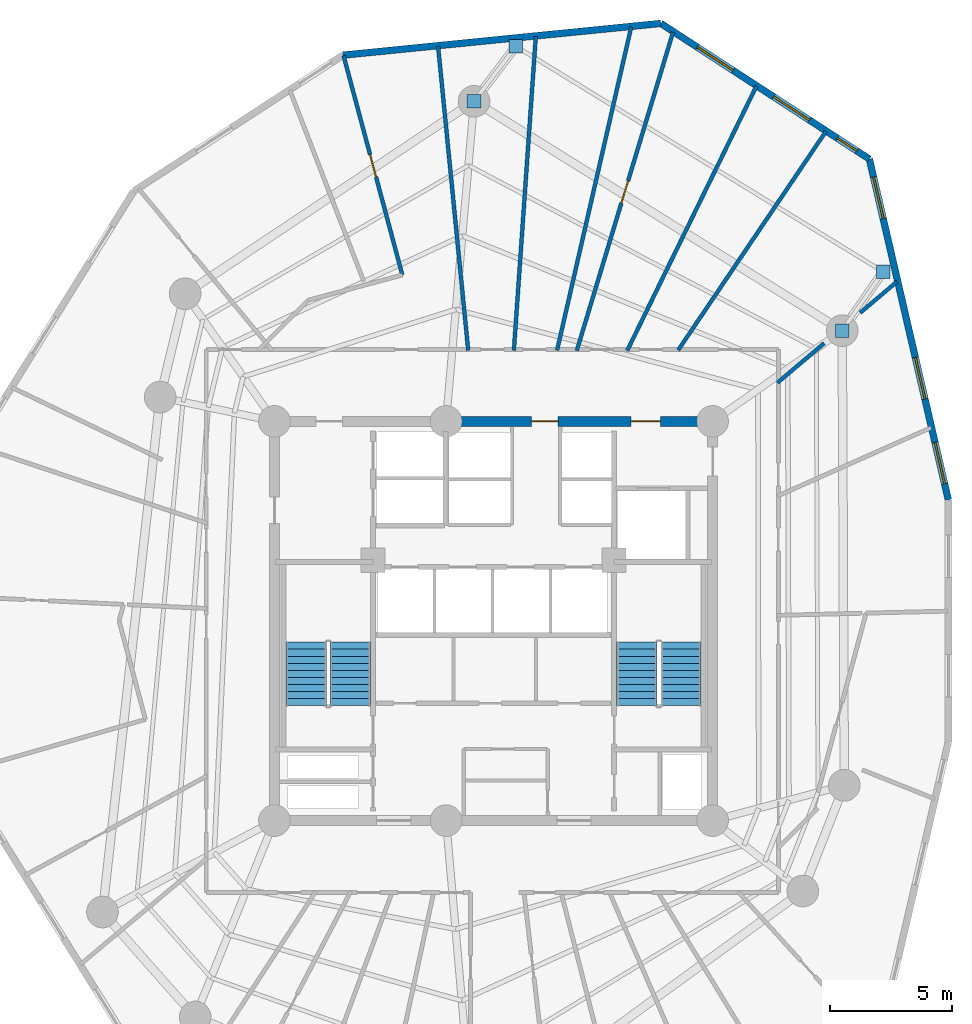
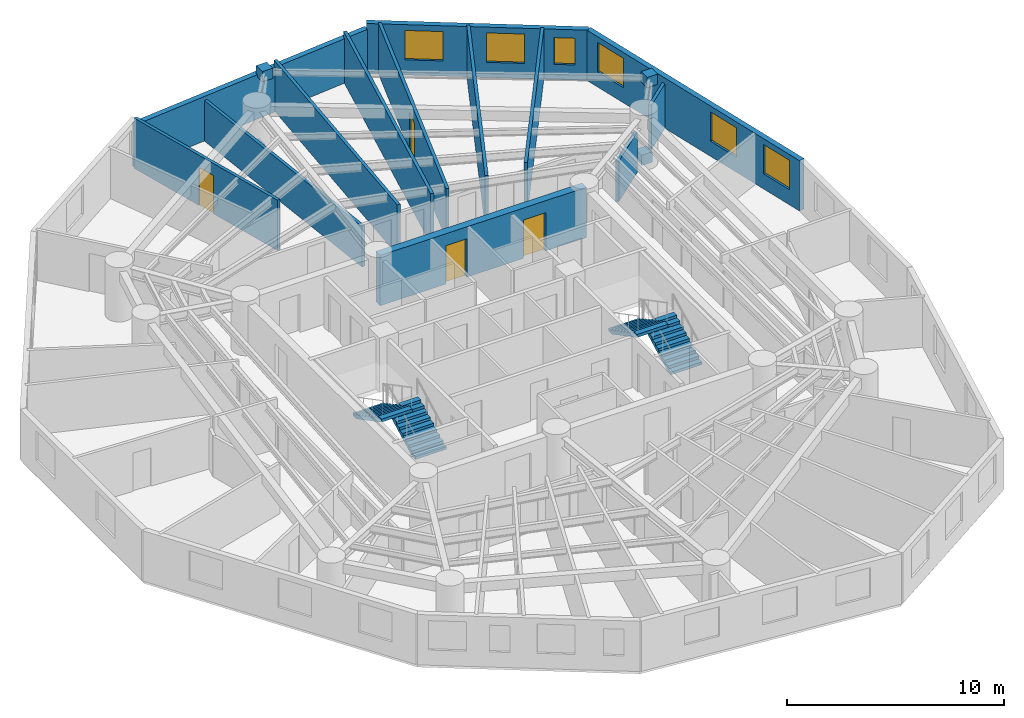
# One storey, part 7 of 8: 13 walls, 6 windows, 4 discrete accessories, 4 doors, 4 stair flights, 10 openings, 2 elements without a shape of their own.
"""IFC4 building model written with IfcOpenShell, lengths in metres."""

from ifc_helpers import new_model, si_unit, direction, frame, frame_2d, origin, origin_with_axes, origin_2d, place, context, subcontext, project, spatial, polyline, rectangle, outline, extrude, source, transform, mapped, material, layer, layer_set, type_object, element, fill, aggregate, save


model = new_model("IFC4")

# Units and contexts
model_context = context("Model", 3, precision=1e-05, world=origin(), true_north=direction((0.0, 1.0)))
body_context = subcontext(model_context, "Body", "Model", "MODEL_VIEW")
ifc_project = project(units=[si_unit("LENGTHUNIT", "METRE"), si_unit("AREAUNIT", "SQUARE_METRE"), si_unit("VOLUMEUNIT", "CUBIC_METRE"), si_unit("PLANEANGLEUNIT", "RADIAN"), si_unit("MASSUNIT", "GRAM", prefix="KILO")], contexts=[model_context])

# Site, building, storey
site_placement = place(None, origin())
site = spatial("IfcSite", under=ifc_project, at=site_placement, CompositionType="ELEMENT")
building_placement = place(site_placement, origin())
building = spatial("IfcBuilding", under=site, at=building_placement, Name="Karkom Vertical University and Central Library", CompositionType="ELEMENT")
storey_placement = place(building_placement, frame((0.0, 0.0, 187.050048828125)))
storey = spatial("IfcBuildingStorey", under=building, at=storey_placement, Name="L54", CompositionType="ELEMENT", Elevation=187.050048828125)

# Wall, openings, windows
ifc_material_1 = material(Name="Brick-faced precast concrete C45/55", Category="masonry")
ifc_layer_1 = layer(ifc_material_1, 0.280029296875)
ifc_layer_set_1 = layer_set([ifc_layer_1], Name="Brick-faced precast concrete C45/55")
wall_type_1 = type_object("IfcWallType", Name="ENV-WL-BRK-280", PredefinedType="SOLIDWALL", material=ifc_layer_set_1)
wall_1_placement = place(storey_placement, frame((47.185302734375, 31.474365234375, 0.0), z_axis=(0.0, 0.0, 1.0), x_axis=(-0.225598723883, 0.974220311727, 0.0)))
wall_1 = element("IfcWall", 1, at=wall_1_placement, inside=storey, type_object=wall_type_1, Name="Level 54 Brick-Faced Precast Facade Wall 08", PredefinedType="SOLIDWALL", context=body_context, shape_type="SweptSolid", body=[
    extrude(rectangle(XDim=14.374755859375, YDim=0.280029296875, at=frame_2d((7.1875, 0.0))), origin(), (0.0, 0.0, 1.0), 2.824951171875),
])
opening_1_placement = place(wall_1_placement, frame((0.677490234375, 0.0, 0.85009765625)))
opening_1 = element("IfcOpeningElement", 2, at=opening_1_placement, cuts=wall_1, Name="Opening WN-08", PredefinedType="OPENING", context=body_context, shape_type="SweptSolid", body=[
    extrude(rectangle(XDim=1.75, YDim=1.64990234375, at=frame_2d((0.875, 0.824951171875))), frame((0.0, 0.14990234375, 0.0), z_axis=(0.0, -1.0, 0.0), x_axis=(1.0, 0.0, 0.0)), (0.0, 0.0, 1.0), 0.300048828125),
])
opening_2_placement = place(wall_1_placement, frame((4.25634765625, 0.0, 0.85009765625)))
opening_2 = element("IfcOpeningElement", 3, at=opening_2_placement, cuts=wall_1, Name="Opening WN-08", PredefinedType="OPENING", context=body_context, shape_type="SweptSolid", body=[
    extrude(rectangle(XDim=1.75, YDim=1.64990234375, at=frame_2d((0.875, 0.824951171875))), frame((0.0, 0.14990234375, 0.0), z_axis=(0.0, -1.0, 0.0), x_axis=(1.0, 0.0, 0.0)), (0.0, 0.0, 1.0), 0.300048828125),
])
opening_3_placement = place(wall_1_placement, frame((11.864990234375, 0.0, 0.85009765625)))
opening_3 = element("IfcOpeningElement", 4, at=opening_3_placement, cuts=wall_1, Name="Opening WN-08", PredefinedType="OPENING", context=body_context, shape_type="SweptSolid", body=[
    extrude(rectangle(XDim=1.75, YDim=1.64990234375, at=frame_2d((0.875, 0.824951171875))), frame((0.0, 0.14990234375, 0.0), z_axis=(0.0, -1.0, 0.0), x_axis=(1.0, 0.0, 0.0)), (0.0, 0.0, 1.0), 0.300048828125),
])
ifc_material_2 = material(Name="Aluminium thermal-break frame with solar-control IGU", Category="aluminium")
window_type_1 = type_object("IfcWindowType", Name="ENV-WIN-WN-08", PartitioningType="SINGLE_PANEL", PredefinedType="WINDOW", material=ifc_material_2)
shared_shape_1 = source(origin_with_axes(), body_context, "Body", "SweptSolid", [
    extrude(rectangle(XDim=1.75, YDim=1.64990234375, at=frame_2d((0.875, 0.824951171875))), frame((0.0, 0.030029296875, 0.0), z_axis=(0.0, -1.0, 0.0), x_axis=(1.0, 0.0, 0.0)), (0.0, 0.0, 1.0), 0.06005859375),
])
window_1_placement = place(opening_1_placement, origin())
window_1 = element("IfcWindow", 5, at=window_1_placement, inside=storey, type_object=window_type_1, Name="Level 54 Punched Window 8.1", OverallHeight=1.64990234375, OverallWidth=1.75, PartitioningType="SINGLE_PANEL", PredefinedType="WINDOW", context=body_context, shape_type="MappedRepresentation", body=[
    mapped(shared_shape_1, transform((0.0, 0.0, 0.0), scale=1.0)),
])
fill(opening_1, window_1)
window_2_placement = place(opening_2_placement, origin())
window_2 = element("IfcWindow", 6, at=window_2_placement, inside=storey, type_object=window_type_1, Name="Level 54 Punched Window 8.2", OverallHeight=1.64990234375, OverallWidth=1.75, PartitioningType="SINGLE_PANEL", PredefinedType="WINDOW", context=body_context, shape_type="MappedRepresentation", body=[
    mapped(shared_shape_1, transform((0.0, 0.0, 0.0), scale=1.0)),
])
fill(opening_2, window_2)
window_3_placement = place(opening_3_placement, origin())
window_3 = element("IfcWindow", 7, at=window_3_placement, inside=storey, type_object=window_type_1, Name="Level 54 Punched Window 8.3", OverallHeight=1.64990234375, OverallWidth=1.75, PartitioningType="SINGLE_PANEL", PredefinedType="WINDOW", context=body_context, shape_type="MappedRepresentation", body=[
    mapped(shared_shape_1, transform((0.0, 0.0, 0.0), scale=1.0)),
])
fill(opening_3, window_3)

wall_2_placement = place(storey_placement, frame((43.9423828125, 45.478515625, 0.0), z_axis=(0.0, 0.0, 1.0), x_axis=(-0.838363930123, 0.545110925105, 0.0)))
wall_2 = element("IfcWall", 8, at=wall_2_placement, inside=storey, type_object=wall_type_1, Name="Level 54 Brick-Faced Precast Facade Wall 09", PredefinedType="SOLIDWALL", context=body_context, shape_type="SweptSolid", body=[
    extrude(rectangle(XDim=10.220947265625, YDim=0.280029296875, at=frame_2d((5.1103515625, 0.0))), origin(), (0.0, 0.0, 1.0), 2.824951171875),
])
opening_4_placement = place(wall_2_placement, frame((0.6142578125, 0.0, 0.85009765625)))
opening_4 = element("IfcOpeningElement", 9, at=opening_4_placement, cuts=wall_2, Name="Opening WN-12", PredefinedType="OPENING", context=body_context, shape_type="SweptSolid", body=[
    extrude(rectangle(XDim=0.949951171875, YDim=1.5, at=frame_2d((0.47509765625, 0.75))), frame((0.0, 0.14990234375, 0.0), z_axis=(0.0, -1.0, 0.0), x_axis=(1.0, 0.0, 0.0)), (0.0, 0.0, 1.0), 0.300048828125),
])
opening_5_placement = place(wall_2_placement, frame((2.944091796875, 0.0, 0.85009765625)))
opening_5 = element("IfcOpeningElement", 10, at=opening_5_placement, cuts=wall_2, Name="Opening WN-08", PredefinedType="OPENING", context=body_context, shape_type="SweptSolid", body=[
    extrude(rectangle(XDim=1.75, YDim=1.64990234375, at=frame_2d((0.875, 0.824951171875))), frame((0.0, 0.14990234375, 0.0), z_axis=(0.0, -1.0, 0.0), x_axis=(1.0, 0.0, 0.0)), (0.0, 0.0, 1.0), 0.300048828125),
])
opening_6_placement = place(wall_2_placement, frame((6.682373046875, 0.0, 0.85009765625)))
opening_6 = element("IfcOpeningElement", 11, at=opening_6_placement, cuts=wall_2, Name="Opening WN-08", PredefinedType="OPENING", context=body_context, shape_type="SweptSolid", body=[
    extrude(rectangle(XDim=1.75, YDim=1.64990234375, at=frame_2d((0.875, 0.824951171875))), frame((0.0, 0.14990234375, 0.0), z_axis=(0.0, -1.0, 0.0), x_axis=(1.0, 0.0, 0.0)), (0.0, 0.0, 1.0), 0.300048828125),
])
window_type_2 = type_object("IfcWindowType", Name="ENV-WIN-WN-12", PartitioningType="SINGLE_PANEL", PredefinedType="WINDOW", material=ifc_material_2)
shared_shape_2 = source(origin_with_axes(), body_context, "Body", "SweptSolid", [
    extrude(rectangle(XDim=0.949951171875, YDim=1.5, at=frame_2d((0.47509765625, 0.75))), frame((0.0, 0.030029296875, 0.0), z_axis=(0.0, -1.0, 0.0), x_axis=(1.0, 0.0, 0.0)), (0.0, 0.0, 1.0), 0.06005859375),
])
window_4_placement = place(opening_4_placement, origin())
window_4 = element("IfcWindow", 12, at=window_4_placement, inside=storey, type_object=window_type_2, Name="Level 54 Punched Window 9.1", OverallHeight=1.5, OverallWidth=0.949951171875, PartitioningType="SINGLE_PANEL", PredefinedType="WINDOW", context=body_context, shape_type="MappedRepresentation", body=[
    mapped(shared_shape_2, transform((0.0, 0.0, 0.0), scale=1.0)),
])
fill(opening_4, window_4)
window_5_placement = place(opening_5_placement, origin())
window_5 = element("IfcWindow", 13, at=window_5_placement, inside=storey, type_object=window_type_1, Name="Level 54 Punched Window 9.2", OverallHeight=1.64990234375, OverallWidth=1.75, PartitioningType="SINGLE_PANEL", PredefinedType="WINDOW", context=body_context, shape_type="MappedRepresentation", body=[
    mapped(shared_shape_1, transform((0.0, 0.0, 0.0), scale=1.0)),
])
fill(opening_5, window_5)
window_6_placement = place(opening_6_placement, origin())
window_6 = element("IfcWindow", 14, at=window_6_placement, inside=storey, type_object=window_type_1, Name="Level 54 Punched Window 9.3", OverallHeight=1.64990234375, OverallWidth=1.75, PartitioningType="SINGLE_PANEL", PredefinedType="WINDOW", context=body_context, shape_type="MappedRepresentation", body=[
    mapped(shared_shape_1, transform((0.0, 0.0, 0.0), scale=1.0)),
])
fill(opening_6, window_6)

# Wall
wall_3_placement = place(storey_placement, frame((35.37353515625, 51.050048828125, 0.0), z_axis=(0.0, 0.0, 1.0), x_axis=(-0.995061275338, -0.099262572617, 0.0)))
element("IfcWall", 15, at=wall_3_placement, inside=storey, type_object=wall_type_1, Name="Level 54 Brick-Faced Precast Facade Wall 10", PredefinedType="SOLIDWALL", context=body_context, shape_type="SweptSolid", body=[
    extrude(rectangle(XDim=13.131591796875, YDim=0.280029296875, at=frame_2d((6.56591796875, 0.0))), origin(), (0.0, 0.0, 1.0), 2.494873046875),
])

# Wall, opening, door
ifc_material_3 = material(Name="Insulated metal-stud drywall 160mm", Category="gypsum")
ifc_layer_2 = layer(ifc_material_3, 0.159912109375)
ifc_layer_set_2 = layer_set([ifc_layer_2], Name="Insulated metal-stud drywall 160mm")
wall_type_2 = type_object("IfcWallType", Name="INT-WL-COR-160", PredefinedType="PARTITIONING", material=ifc_layer_set_2)
wall_4_placement = place(storey_placement, frame((31.920166015625, 37.60693359375, 0.0), z_axis=(0.0, 0.0, 1.0), x_axis=(0.289331651379, 0.957228914894, 0.0)))
wall_4 = element("IfcWall", 16, at=wall_4_placement, inside=storey, type_object=wall_type_2, Name="Level 54 Interior Partition Wall L54-PW-033", PredefinedType="PARTITIONING", context=body_context, shape_type="SweptSolid", body=[
    extrude(rectangle(XDim=13.6689453125, YDim=0.159912109375, at=frame_2d((6.83447265625, 0.0))), origin(), (0.0, 0.0, 1.0), 2.824951171875),
])
opening_7_placement = place(wall_4_placement, frame((6.33447265625, 0.0, 0.0)))
opening_7 = element("IfcOpeningElement", 17, at=opening_7_placement, cuts=wall_4, Name="Opening D-RM1", PredefinedType="OPENING", context=body_context, shape_type="SweptSolid", body=[
    extrude(rectangle(XDim=0.949951171875, YDim=2.14990234375, at=frame_2d((0.47509765625, 1.074951171875))), frame((0.0, 0.08984375, 0.0), z_axis=(0.0, -1.0, 0.0), x_axis=(1.0, 0.0, 0.0)), (0.0, 0.0, 1.0), 0.179931640625),
])
ifc_material_4 = material(Name="Solid-core oak veneer door", Category="wood")
door_type_1 = type_object("IfcDoorType", Name="INT-DR-RM1", OperationType="NOTDEFINED", PredefinedType="DOOR", material=ifc_material_4)
shared_shape_3 = source(origin_with_axes(), body_context, "Body", "SweptSolid", [
    extrude(rectangle(XDim=0.949951171875, YDim=2.14990234375, at=frame_2d((0.47509765625, 1.074951171875))), frame((0.0, 0.02490234375, 0.0), z_axis=(0.0, -1.0, 0.0), x_axis=(1.0, 0.0, 0.0)), (0.0, 0.0, 1.0), 0.050048828125),
])
door_1_placement = place(opening_7_placement, origin())
door_1 = element("IfcDoor", 18, at=door_1_placement, inside=storey, type_object=door_type_1, Name="Level 54 Room Entry Door 220", OperationType="SINGLE_SWING_LEFT", OverallHeight=2.14990234375, OverallWidth=0.949951171875, PredefinedType="DOOR", context=body_context, shape_type="MappedRepresentation", body=[
    mapped(shared_shape_3, transform((0.0, 0.0, 0.0), scale=1.0)),
])
fill(opening_7, door_1)

# Walls
wall_5_placement = place(storey_placement, frame((31.111083984375, 37.620849609375, 0.0), z_axis=(0.0, 0.0, 1.0), x_axis=(0.223468026285, 0.97471126044, 0.0)))
element("IfcWall", 19, at=wall_5_placement, inside=storey, type_object=wall_type_2, Name="Level 54 Interior Partition Wall L54-PW-034", PredefinedType="PARTITIONING", context=body_context, shape_type="SweptSolid", body=[
    extrude(rectangle(XDim=13.62353515625, YDim=0.159912109375, at=frame_2d((6.811767578125, 0.0))), origin(), (0.0, 0.0, 1.0), 2.824951171875),
])
wall_6_placement = place(storey_placement, frame((29.33642578125, 37.6201171875, 0.0), z_axis=(0.0, 0.0, 1.0), x_axis=(0.069618375377, 0.997573697433, 0.0)))
element("IfcWall", 20, at=wall_6_placement, inside=storey, type_object=wall_type_2, Name="Level 54 Interior Partition Wall L54-PW-035", PredefinedType="PARTITIONING", context=body_context, shape_type="SweptSolid", body=[
    extrude(rectangle(XDim=12.922607421875, YDim=0.159912109375, at=frame_2d((6.46142578125, 0.0))), origin(), (0.0, 0.0, 1.0), 2.824951171875),
])
wall_7_placement = place(storey_placement, frame((27.459228515625, 37.6201171875, 0.0), z_axis=(0.0, 0.0, 1.0), x_axis=(-0.098527382243, 0.995134340151, 0.0)))
element("IfcWall", 21, at=wall_7_placement, inside=storey, type_object=wall_type_2, Name="Level 54 Interior Partition Wall L54-PW-036", PredefinedType="PARTITIONING", context=body_context, shape_type="SweptSolid", body=[
    extrude(rectangle(XDim=12.552978515625, YDim=0.159912109375, at=frame_2d((6.2763671875, 0.0))), origin(), (0.0, 0.0, 1.0), 2.27490234375),
])
wall_8_placement = place(storey_placement, frame((33.993408203125, 37.609619140625, 0.0), z_axis=(0.0, 0.0, 1.0), x_axis=(0.438887267055, 0.898542134135, 0.0)))
element("IfcWall", 22, at=wall_8_placement, inside=storey, type_object=wall_type_2, Name="Level 54 Interior Partition Wall L54-PW-032", PredefinedType="PARTITIONING", context=body_context, shape_type="SweptSolid", body=[
    extrude(rectangle(XDim=12.0849609375, YDim=0.159912109375, at=frame_2d((6.04248046875, 0.0))), origin(), (0.0, 0.0, 1.0), 2.824951171875),
])
wall_9_placement = place(storey_placement, frame((36.084716796875, 37.625, 0.0), z_axis=(0.0, 0.0, 1.0), x_axis=(0.559620939067, 0.828748698073, 0.0)))
element("IfcWall", 23, at=wall_9_placement, inside=storey, type_object=wall_type_2, Name="Level 54 Interior Partition Wall L54-PW-031", PredefinedType="PARTITIONING", context=body_context, shape_type="SweptSolid", body=[
    extrude(rectangle(XDim=10.84423828125, YDim=0.159912109375, at=frame_2d((5.422119140625, 0.0))), origin(), (0.0, 0.0, 1.0), 2.824951171875),
])

# Wall, opening, door
wall_10_placement = place(storey_placement, frame((24.753662109375, 40.71337890625, 0.0), z_axis=(0.0, 0.0, 1.0), x_axis=(-0.258838559271, 0.965920597272, 0.0)))
wall_10 = element("IfcWall", 24, at=wall_10_placement, inside=storey, type_object=wall_type_2, Name="Level 54 Interior Partition Wall L54-PW-037", PredefinedType="PARTITIONING", context=body_context, shape_type="SweptSolid", body=[
    extrude(rectangle(XDim=9.328369140625, YDim=0.159912109375, at=frame_2d((4.6640625, 0.0))), origin(), (0.0, 0.0, 1.0), 2.824951171875),
])
opening_8_placement = place(wall_10_placement, frame((4.171630859375, 0.0, 0.0)))
opening_8 = element("IfcOpeningElement", 25, at=opening_8_placement, cuts=wall_10, Name="Opening D-RM1", PredefinedType="OPENING", context=body_context, shape_type="SweptSolid", body=[
    extrude(rectangle(XDim=0.949951171875, YDim=2.14990234375, at=frame_2d((0.47509765625, 1.074951171875))), frame((0.0, 0.08984375, 0.0), z_axis=(0.0, -1.0, 0.0), x_axis=(1.0, 0.0, 0.0)), (0.0, 0.0, 1.0), 0.179931640625),
])
door_2_placement = place(opening_8_placement, origin())
door_2 = element("IfcDoor", 26, at=door_2_placement, inside=storey, type_object=door_type_1, Name="Level 54 Room Entry Door 260", OperationType="SINGLE_SWING_RIGHT", OverallHeight=2.14990234375, OverallWidth=0.949951171875, PredefinedType="DOOR", context=body_context, shape_type="MappedRepresentation", body=[
    mapped(shared_shape_3, transform((0.0, 0.0, 0.0), scale=1.0)),
])
fill(opening_8, door_2)

# Walls
wall_11_placement = place(storey_placement, frame((40.16552734375, 36.2890625, 0.0), z_axis=(0.0, 0.0, 1.0), x_axis=(0.763533690392, 0.645767995209, 0.0)))
element("IfcWall", 27, at=wall_11_placement, inside=storey, type_object=wall_type_2, Name="Level 54 Interior Partition Wall L54-PW-029", PredefinedType="PARTITIONING", context=body_context, shape_type="SweptSolid", body=[
    extrude(rectangle(XDim=2.5126953125, YDim=0.159912109375, at=frame_2d((1.25634765625, 0.0))), origin(), (0.0, 0.0, 1.0), 2.27490234375),
])
wall_12_placement = place(storey_placement, frame((43.56396484375, 39.16357421875, 0.0), z_axis=(0.0, 0.0, 1.0), x_axis=(0.76353126088, 0.645770867769, 0.0)))
element("IfcWall", 28, at=wall_12_placement, inside=storey, type_object=wall_type_2, Name="Level 54 Interior Partition Wall L54-PW-030", PredefinedType="PARTITIONING", context=body_context, shape_type="SweptSolid", body=[
    extrude(rectangle(XDim=1.97998046875, YDim=0.159912109375, at=frame_2d((0.989990234375, 0.0))), origin(), (0.0, 0.0, 1.0), 2.494873046875),
])

# Wall, openings, doors
ifc_material_5 = material(Name="Concrete C50/60", Category="concrete")
ifc_layer_3 = layer(ifc_material_5, 0.39990234375)
ifc_layer_set_3 = layer_set([ifc_layer_3], Name="Concrete C50/60")
wall_type_3 = type_object("IfcWallType", Name="STR-WL-CW-400", PredefinedType="SHEAR", material=ifc_layer_set_3)
wall_13_placement = place(storey_placement, frame((37.5, 34.699951171875, 0.0), z_axis=(0.0, 0.0, 1.0), x_axis=(-1.0, 0.0, 0.0)))
wall_13 = element("IfcWall", 29, at=wall_13_placement, inside=storey, type_object=wall_type_3, Name="Level 54 Central Core Shear Wall NW1", PredefinedType="SHEAR", context=body_context, shape_type="SweptSolid", body=[
    extrude(rectangle(XDim=10.949951171875, YDim=0.39990234375, at=frame_2d((5.47509765625, 0.0))), origin(), (0.0, 0.0, 1.0), 2.824951171875),
])
opening_9_placement = place(wall_13_placement, frame((2.14990234375, 0.0, 0.0)))
opening_9 = element("IfcOpeningElement", 30, at=opening_9_placement, cuts=wall_13, Name="Opening FD-SUB1", PredefinedType="OPENING", context=body_context, shape_type="SweptSolid", body=[
    extrude(rectangle(XDim=1.199951171875, YDim=2.14990234375, at=frame_2d((0.60009765625, 1.074951171875))), frame((0.0, 0.2099609375, 0.0), z_axis=(0.0, -1.0, 0.0), x_axis=(1.0, 0.0, 0.0)), (0.0, 0.0, 1.0), 0.419921875),
])
opening_10_placement = place(wall_13_placement, frame((6.35009765625, 0.0, 0.0)))
opening_10 = element("IfcOpeningElement", 31, at=opening_10_placement, cuts=wall_13, Name="Opening FD-FFL", PredefinedType="OPENING", context=body_context, shape_type="SweptSolid", body=[
    extrude(rectangle(XDim=1.10009765625, YDim=2.14990234375, at=frame_2d((0.550048828125, 1.074951171875))), frame((0.0, 0.2099609375, 0.0), z_axis=(0.0, -1.0, 0.0), x_axis=(1.0, 0.0, 0.0)), (0.0, 0.0, 1.0), 0.419921875),
])
ifc_material_6 = material(Name="Painted steel smoke-seal fire door", Category="steel")
door_type_2 = type_object("IfcDoorType", Name="INT-DR-FFL", OperationType="NOTDEFINED", PredefinedType="DOOR", material=ifc_material_6)
shared_shape_4 = source(origin_with_axes(), body_context, "Body", "SweptSolid", [
    extrude(rectangle(XDim=1.10009765625, YDim=2.14990234375, at=frame_2d((0.550048828125, 1.074951171875))), frame((0.0, 0.02490234375, 0.0), z_axis=(0.0, -1.0, 0.0), x_axis=(1.0, 0.0, 0.0)), (0.0, 0.0, 1.0), 0.050048828125),
])
door_3_placement = place(opening_10_placement, origin())
door_3 = element("IfcDoor", 32, at=door_3_placement, inside=storey, type_object=door_type_2, Name="Level 54 North Core Lobby Exit Door", OperationType="SINGLE_SWING_RIGHT", OverallHeight=2.14990234375, OverallWidth=1.10009765625, PredefinedType="DOOR", context=body_context, shape_type="MappedRepresentation", body=[
    mapped(shared_shape_4, transform((0.0, 0.0, 0.0), scale=1.0)),
])
fill(opening_10, door_3)
ifc_material_7 = material(Name="Painted steel fire door", Category="steel")
door_type_3 = type_object("IfcDoorType", Name="INT-DR-SUB1", OperationType="NOTDEFINED", PredefinedType="DOOR", material=ifc_material_7)
shared_shape_5 = source(origin_with_axes(), body_context, "Body", "SweptSolid", [
    extrude(rectangle(XDim=1.199951171875, YDim=2.14990234375, at=frame_2d((0.60009765625, 1.074951171875))), frame((0.0, 0.02490234375, 0.0), z_axis=(0.0, -1.0, 0.0), x_axis=(1.0, 0.0, 0.0)), (0.0, 0.0, 1.0), 0.050048828125),
])
door_4_placement = place(opening_9_placement, origin())
door_4 = element("IfcDoor", 33, at=door_4_placement, inside=storey, type_object=door_type_3, Name="Level 54 Service Lobby Fire Door", OperationType="SINGLE_SWING_LEFT", OverallHeight=2.14990234375, OverallWidth=1.199951171875, PredefinedType="DOOR", context=body_context, shape_type="MappedRepresentation", body=[
    mapped(shared_shape_5, transform((0.0, 0.0, 0.0), scale=1.0)),
])
fill(opening_9, door_4)

# Stair, stair flights
ifc_material_8 = material(Name="Concrete C45/55", Category="concrete")
stair_type = type_object("IfcStairType", Name="INT-STR-ST-MAIN", PredefinedType="HALF_TURN_STAIR", material=ifc_material_8)
stair_1_placement = place(storey_placement, origin())
stair_1 = element("IfcStair", 34, at=stair_1_placement, inside=storey, type_object=stair_type, Name="Level 54 Tower Protected Exit Stair ST-1", PredefinedType="HALF_TURN_STAIR")
stair_flight_type = type_object("IfcStairFlightType", Name="INT-SFL-ST-MAIN", PredefinedType="STRAIGHT", material=ifc_material_8)
stair_flight_1_placement = place(storey_placement, frame((22.614990234375, 23.02001953125, 0.0), z_axis=(0.0, 0.0, 1.0), x_axis=(0.0, 1.0, 0.0)))
stair_flight_1 = element("IfcStairFlight", 35, at=stair_flight_1_placement, type_object=stair_flight_type, Name="ST-1 flight 1", NumberOfRisers=10, NumberOfTreads=9, PredefinedType="STRAIGHT", RiserHeight=0.1525, TreadLength=0.29, context=body_context, shape_type="SweptSolid", body=[
    extrude(outline(polyline([(0.0, 0.0), (0.0, 0.152587890625), (0.2900390625, 0.152587890625), (0.2900390625, 0.304931640625), (0.580078125, 0.304931640625), (0.580078125, 0.45751953125), (0.8701171875, 0.45751953125), (0.8701171875, 0.610107421875), (1.159912109375, 0.610107421875), (1.159912109375, 0.762451171875), (1.449951171875, 0.762451171875), (1.449951171875, 0.9150390625), (1.739990234375, 0.9150390625), (1.739990234375, 1.0673828125), (2.030029296875, 1.0673828125), (2.030029296875, 1.219970703125), (2.320068359375, 1.219970703125), (2.320068359375, 1.37255859375), (2.610107421875, 1.37255859375), (2.610107421875, 1.52490234375), (2.610107421875, 1.203125), (0.322021484375, 0.0), (0.0, 0.0)])), frame((0.0, 0.824951171875, 0.0), z_axis=(0.0, -1.0, 0.0), x_axis=(1.0, 0.0, 0.0)), (0.0, 0.0, 1.0), 1.64990234375),
])
stair_flight_2_placement = place(storey_placement, frame((20.804931640625, 25.6298828125, 1.52490234375), z_axis=(0.0, 0.0, 1.0), x_axis=(0.0, -1.0, 0.0)))
stair_flight_2 = element("IfcStairFlight", 36, at=stair_flight_2_placement, type_object=stair_flight_type, Name="ST-1 flight 2", NumberOfRisers=10, NumberOfTreads=9, PredefinedType="STRAIGHT", RiserHeight=0.1525, TreadLength=0.29, context=body_context, shape_type="SweptSolid", body=[
    extrude(outline(polyline([(0.0, 0.0), (0.0, 0.152587890625), (0.2900390625, 0.152587890625), (0.2900390625, 0.304931640625), (0.580078125, 0.304931640625), (0.580078125, 0.45751953125), (0.8701171875, 0.45751953125), (0.8701171875, 0.610107421875), (1.159912109375, 0.610107421875), (1.159912109375, 0.762451171875), (1.449951171875, 0.762451171875), (1.449951171875, 0.9150390625), (1.739990234375, 0.9150390625), (1.739990234375, 1.0673828125), (2.030029296875, 1.0673828125), (2.030029296875, 1.219970703125), (2.320068359375, 1.219970703125), (2.320068359375, 1.37255859375), (2.610107421875, 1.37255859375), (2.610107421875, 1.52490234375), (2.610107421875, 1.203125), (0.322021484375, 0.0), (0.0, 0.0)])), frame((0.0, 0.824951171875, 0.0), z_axis=(0.0, -1.0, 0.0), x_axis=(1.0, 0.0, 0.0)), (0.0, 0.0, 1.0), 1.64990234375),
])
aggregate(stair_1, [stair_flight_1, stair_flight_2])

stair_2_placement = place(storey_placement, origin())
stair_2 = element("IfcStair", 37, at=stair_2_placement, inside=storey, type_object=stair_type, Name="Level 54 Tower Protected Exit Stair ST-2", PredefinedType="HALF_TURN_STAIR")
stair_flight_3_placement = place(storey_placement, frame((36.195068359375, 23.02001953125, 0.0), z_axis=(0.0, 0.0, 1.0), x_axis=(0.0, 1.0, 0.0)))
stair_flight_3 = element("IfcStairFlight", 38, at=stair_flight_3_placement, type_object=stair_flight_type, Name="ST-2 flight 1", NumberOfRisers=10, NumberOfTreads=9, PredefinedType="STRAIGHT", RiserHeight=0.1525, TreadLength=0.29, context=body_context, shape_type="SweptSolid", body=[
    extrude(outline(polyline([(0.0, 0.0), (0.0, 0.152587890625), (0.2900390625, 0.152587890625), (0.2900390625, 0.304931640625), (0.580078125, 0.304931640625), (0.580078125, 0.45751953125), (0.8701171875, 0.45751953125), (0.8701171875, 0.610107421875), (1.159912109375, 0.610107421875), (1.159912109375, 0.762451171875), (1.449951171875, 0.762451171875), (1.449951171875, 0.9150390625), (1.739990234375, 0.9150390625), (1.739990234375, 1.0673828125), (2.030029296875, 1.0673828125), (2.030029296875, 1.219970703125), (2.320068359375, 1.219970703125), (2.320068359375, 1.37255859375), (2.610107421875, 1.37255859375), (2.610107421875, 1.52490234375), (2.610107421875, 1.203125), (0.322021484375, 0.0), (0.0, 0.0)])), frame((0.0, 0.824951171875, 0.0), z_axis=(0.0, -1.0, 0.0), x_axis=(1.0, 0.0, 0.0)), (0.0, 0.0, 1.0), 1.64990234375),
])
stair_flight_4_placement = place(storey_placement, frame((34.385009765625, 25.6298828125, 1.52490234375), z_axis=(0.0, 0.0, 1.0), x_axis=(0.0, -1.0, 0.0)))
stair_flight_4 = element("IfcStairFlight", 39, at=stair_flight_4_placement, type_object=stair_flight_type, Name="ST-2 flight 2", NumberOfRisers=10, NumberOfTreads=9, PredefinedType="STRAIGHT", RiserHeight=0.1525, TreadLength=0.29, context=body_context, shape_type="SweptSolid", body=[
    extrude(outline(polyline([(0.0, 0.0), (0.0, 0.152587890625), (0.2900390625, 0.152587890625), (0.2900390625, 0.304931640625), (0.580078125, 0.304931640625), (0.580078125, 0.45751953125), (0.8701171875, 0.45751953125), (0.8701171875, 0.610107421875), (1.159912109375, 0.610107421875), (1.159912109375, 0.762451171875), (1.449951171875, 0.762451171875), (1.449951171875, 0.9150390625), (1.739990234375, 0.9150390625), (1.739990234375, 1.0673828125), (2.030029296875, 1.0673828125), (2.030029296875, 1.219970703125), (2.320068359375, 1.219970703125), (2.320068359375, 1.37255859375), (2.610107421875, 1.37255859375), (2.610107421875, 1.52490234375), (2.610107421875, 1.203125), (0.322021484375, 0.0), (0.0, 0.0)])), frame((0.0, 0.824951171875, 0.0), z_axis=(0.0, -1.0, 0.0), x_axis=(1.0, 0.0, 0.0)), (0.0, 0.0, 1.0), 1.64990234375),
])
aggregate(stair_2, [stair_flight_3, stair_flight_4])

# Discrete accessories
ifc_material_9 = material(Name="Ductile cast iron EN-GJS-400-15", Category="metal")
discrete_accessory_type = type_object("IfcDiscreteAccessoryType", Name="STR-ACC-NODECAP", PredefinedType="BRACKET", material=ifc_material_9)
shared_shape_6 = source(origin_with_axes(), body_context, "Body", "SweptSolid", [
    extrude(rectangle(XDim=0.56005859375, YDim=0.56005859375, at=origin_2d()), origin(), (0.0, 0.0, 1.0), 0.580078125),
])
for number, where, z_axis, x_axis, name in (
    (40, (42.823974609375, 38.427978515625, 0.059814453125), (0.0, 0.0, 1.0), (1.0, 0.0, 0.0), "Level 54 Cast Node Connector L54-SKG-KNEE-1 A"),
    (41, (44.5078125, 40.846923828125, 2.369873046875), (0.0, 0.0, 1.0), (1.0, 0.0, 0.0), "Level 54 Cast Node Connector L54-SKG-KNEE-1 B"),
    (42, (27.699951171875, 47.85009765625, 0.059814453125), (0.0, 0.0, 1.0), (1.0, 0.0, 0.0), "Level 54 Cast Node Connector L54-SKG-KNEE-2 A"),
    (43, (29.41845703125, 50.10888671875, 2.369873046875), (0.0, 0.0, 1.0), (1.0, 0.0, 0.0), "Level 54 Cast Node Connector L54-SKG-KNEE-2 B"),
):
    element("IfcDiscreteAccessory", number, at=place(storey_placement, frame(where, z_axis=z_axis, x_axis=x_axis)), inside=storey, type_object=discrete_accessory_type, Name=name, PredefinedType="BRACKET", context=body_context, shape_type="MappedRepresentation", body=[
        mapped(shared_shape_6, transform((0.0, 0.0, 0.0), scale=1.0)),
    ])

save(model, "model.ifc")
